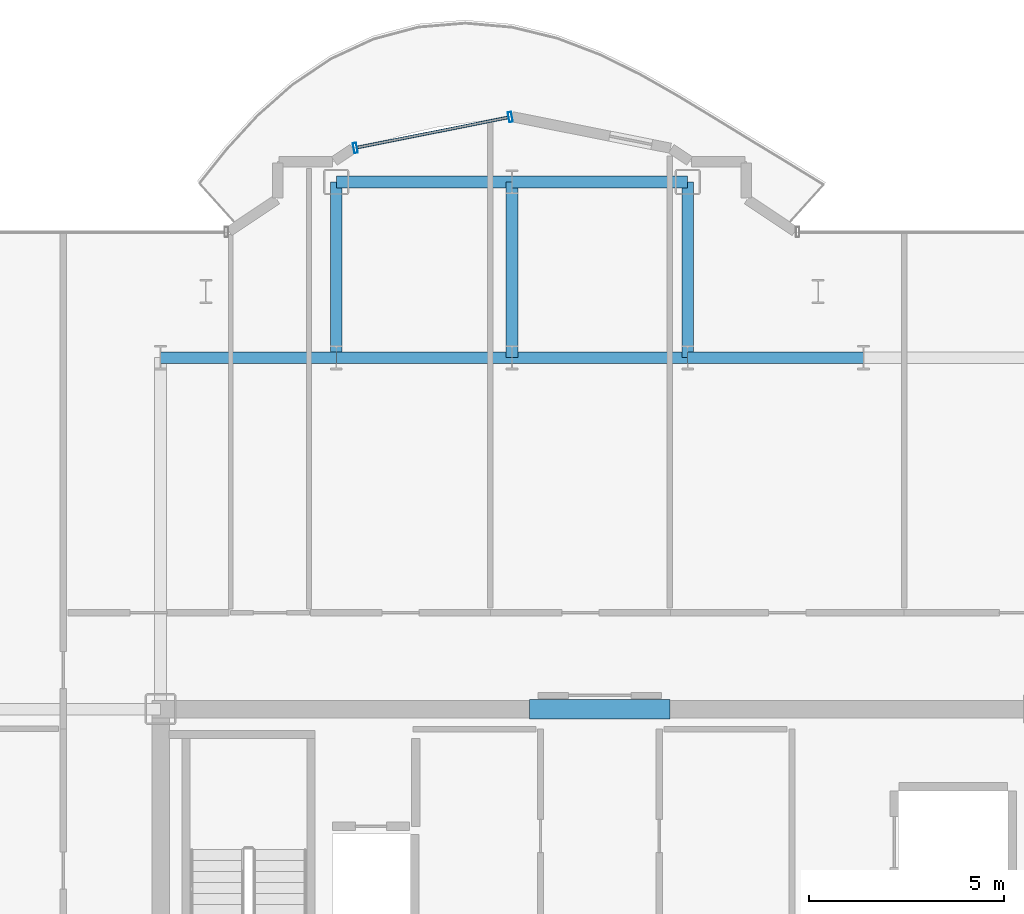
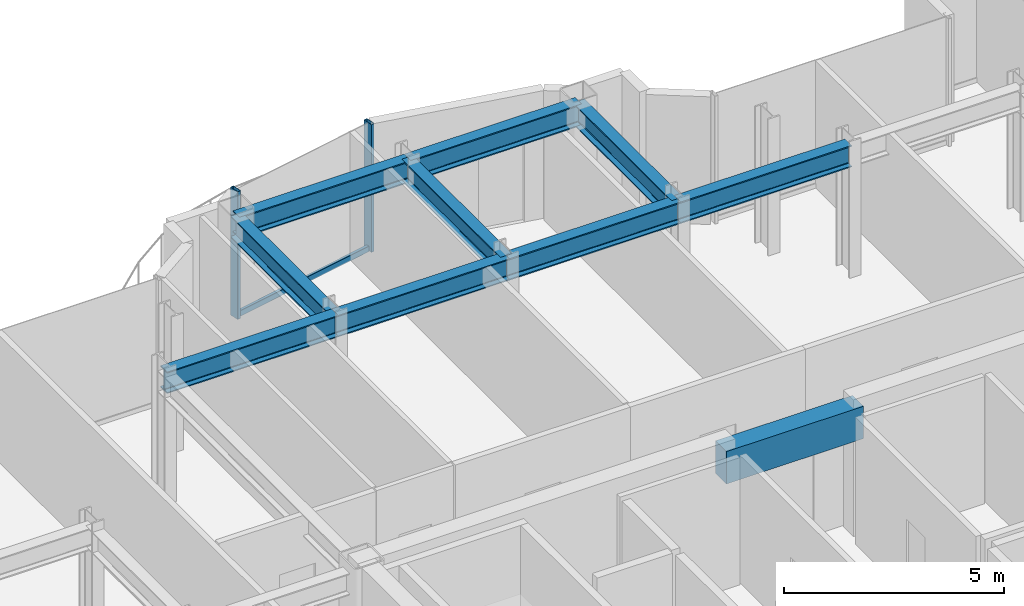
# One storey, part 8 of 16: 10 beams, 3 members, 1 element without a shape of its own.
"""IFC4 building model written with IfcOpenShell, lengths in metres."""

import ifcopenshell
import ifcopenshell.guid

model = None  # the IFC model being written
_history = None  # IfcOwnerHistory: only IFC2X3 demands one
_inside = {}  # id of a spatial element -> (the spatial element, [elements in it])
_under = {}  # id of a project, library or spatial element -> (it, [spatial elements below it])
_declared = {}  # id of a project -> (the project, [libraries it declares])
_typed = {}  # id of a type object -> (the type object, [elements of that type])
_made_of = {}  # id of a material, layer set ... -> (it, [elements and type objects made of it])


def new_model(schema):
    """Start an empty IFC model of exactly this schema.

    Asked for "IFC4X3", IfcOpenShell would pick the latest addendum, in which some entities
    have other attributes; the version numbers below select the first issue.
    IFC2X3 requires an IfcOwnerHistory on every rooted entity: one is made here for all.
    """
    global model, _history
    if schema == "IFC4X3":
        model = ifcopenshell.file(schema_version=(4, 3, 0, 0))
    else:
        model = ifcopenshell.file(schema=schema)
    _inside.clear()
    _under.clear()
    _declared.clear()
    _typed.clear()
    _made_of.clear()
    _history = None
    if model.schema == "IFC2X3":
        org = make("IfcOrganization", Name="unknown")
        user = make(
            "IfcPersonAndOrganization",
            ThePerson=make("IfcPerson", FamilyName="unknown"),
            TheOrganization=org,
        )
        app = make(
            "IfcApplication",
            ApplicationDeveloper=org,
            Version="unknown",
            ApplicationFullName="unknown",
            ApplicationIdentifier="unknown",
        )
        _history = make(
            "IfcOwnerHistory",
            OwningUser=user,
            OwningApplication=app,
            ChangeAction="ADDED",
            CreationDate=0,
        )
    return model


def make(cls, **values):
    """One entity of the class cls with the attributes given. An attribute that is None is left unset."""
    return model.create_entity(
        cls, **{name: value for name, value in values.items() if value is not None}
    )


def rooted(cls, **values):
    """An entity with a GlobalId (a new one), such as an element, a storey or a relation."""
    return make(cls, GlobalId=ifcopenshell.guid.new(), OwnerHistory=_history, **values)


def si_unit(unit_type, name, prefix=None):
    """IfcSIUnit, for example si_unit("LENGTHUNIT", "METRE", prefix="MILLI")."""
    return make("IfcSIUnit", UnitType=unit_type, Prefix=prefix, Name=name)


def assignment(units):
    """IfcUnitAssignment: the units of a project."""
    return None if units is None else make("IfcUnitAssignment", Units=units)


def point(xyz):
    """IfcCartesianPoint."""
    return None if xyz is None else make("IfcCartesianPoint", Coordinates=xyz)


def direction(xyz):
    """IfcDirection."""
    return None if xyz is None else make("IfcDirection", DirectionRatios=xyz)


def frame(location, z_axis=None, x_axis=None):
    """IfcAxis2Placement3D, a coordinate frame: its origin and axes. An axis left out is left unset."""
    return make(
        "IfcAxis2Placement3D",
        Location=point(location),
        Axis=direction(z_axis),
        RefDirection=direction(x_axis),
    )


def frame_2d(location, x_axis=None):
    """IfcAxis2Placement2D, a coordinate frame in the plane: its origin and x axis."""
    return make(
        "IfcAxis2Placement2D", Location=point(location), RefDirection=direction(x_axis)
    )


def origin():
    """The frame at (0, 0, 0) with its axes left unset."""
    return frame((0.0, 0.0, 0.0))


def origin_2d():
    """The frame at (0, 0) in the plane with its x axis left unset."""
    return frame_2d((0.0, 0.0))


def place(relative_to, where):
    """IfcLocalPlacement: puts the frame where relative to a parent placement (None: the world)."""
    return make(
        "IfcLocalPlacement", PlacementRelTo=relative_to, RelativePlacement=where
    )


def context(
    kind, dimensions, precision=None, world=None, true_north=None, identifier=None
):
    """IfcGeometricRepresentationContext, for example the 3D "Model" context."""
    return make(
        "IfcGeometricRepresentationContext",
        ContextIdentifier=identifier,
        ContextType=kind,
        CoordinateSpaceDimension=dimensions,
        Precision=precision,
        WorldCoordinateSystem=world,
        TrueNorth=true_north,
    )


def subcontext(parent, identifier, kind, view, scale=None):
    """IfcGeometricRepresentationSubContext, for example "Body" below "Model"."""
    return make(
        "IfcGeometricRepresentationSubContext",
        ContextIdentifier=identifier,
        ContextType=kind,
        ParentContext=parent,
        TargetScale=scale,
        TargetView=view,
    )


def project(units=None, contexts=None):
    """IfcProject with its units and contexts."""
    return rooted(
        "IfcProject",
        Name="project",
        RepresentationContexts=contexts,
        UnitsInContext=assignment(units),
    )


def spatial(cls, under=None, at=None, **own):
    """A site, building, storey or space (cls), placed at a placement, below another one or the project."""
    s = rooted(cls, ObjectPlacement=at, **own)
    if under is not None:
        _under.setdefault(under.id(), (under, []))[1].append(s)
    return s


def profile(cls, at=None, kind="AREA", **sizes):
    """A parametric profile (cls). Its sizes go by their IFC names, for example OverallWidth=200.0."""
    return make(cls, ProfileType=kind, Position=at, **sizes)


def rectangle(**sizes):
    """IfcRectangleProfileDef."""
    return profile("IfcRectangleProfileDef", **sizes)


def hollow_rectangle(**sizes):
    """IfcRectangleHollowProfileDef."""
    return profile("IfcRectangleHollowProfileDef", **sizes)


def i_section(**sizes):
    """IfcIShapeProfileDef."""
    return profile("IfcIShapeProfileDef", **sizes)


def extrude(swept, where, along, depth):
    """IfcExtrudedAreaSolid: the profile swept, set in the frame where, extruded along a direction by depth."""
    return make(
        "IfcExtrudedAreaSolid",
        SweptArea=swept,
        Position=where,
        ExtrudedDirection=direction(along),
        Depth=depth,
    )


def shape(context_of_items, identifier, shape_type, items):
    """IfcShapeRepresentation: the items that make up one representation, for example the "Body"."""
    return make(
        "IfcShapeRepresentation",
        ContextOfItems=context_of_items,
        RepresentationIdentifier=identifier,
        RepresentationType=shape_type,
        Items=items,
    )


def source(mapping_origin, context_of_items, identifier, shape_type, items):
    """IfcRepresentationMap: a shape defined once, which mapped items show again and again."""
    return make(
        "IfcRepresentationMap",
        MappingOrigin=mapping_origin,
        MappedRepresentation=shape(context_of_items, identifier, shape_type, items),
    )


def transform(
    local_origin,
    x_axis=None,
    y_axis=None,
    z_axis=None,
    scale=None,
    scale2=None,
    scale3=None,
    uniform=True,
):
    """IfcCartesianTransformationOperator3D, or its non-uniform kind. x_axis, y_axis, z_axis: its Axis1, 2, 3."""
    if uniform:
        return make(
            "IfcCartesianTransformationOperator3D",
            Axis1=direction(x_axis),
            Axis2=direction(y_axis),
            LocalOrigin=point(local_origin),
            Scale=scale,
            Axis3=direction(z_axis),
        )
    return make(
        "IfcCartesianTransformationOperator3DnonUniform",
        Axis1=direction(x_axis),
        Axis2=direction(y_axis),
        LocalOrigin=point(local_origin),
        Scale=scale,
        Axis3=direction(z_axis),
        Scale2=scale2,
        Scale3=scale3,
    )


def mapped(mapping_source, mapping_target):
    """IfcMappedItem: shows the shape of a source again, moved by a transform."""
    return make(
        "IfcMappedItem", MappingSource=mapping_source, MappingTarget=mapping_target
    )


def material(Name=None, Category=None):
    """IfcMaterial."""
    return make("IfcMaterial", Name=Name, Category=Category)


def layer(
    of_material, thickness, ventilated=None, Name=None, Category=None, Priority=None
):
    """IfcMaterialLayer: one layer of a wall or slab, of a material (None: an air gap)."""
    return make(
        "IfcMaterialLayer",
        Material=of_material,
        LayerThickness=thickness,
        IsVentilated=ventilated,
        Name=Name,
        Category=Category,
        Priority=Priority,
    )


def layer_set(layers, Name=None):
    """IfcMaterialLayerSet."""
    return make("IfcMaterialLayerSet", MaterialLayers=layers, LayerSetName=Name)


def material_profile(
    of_material, cross_section, Name=None, Category=None, Priority=None
):
    """IfcMaterialProfile: a cross section and its material."""
    return make(
        "IfcMaterialProfile",
        Name=Name,
        Material=of_material,
        Profile=cross_section,
        Priority=Priority,
        Category=Category,
    )


def profile_set(profiles, Name=None, composite=None):
    """IfcMaterialProfileSet."""
    return make(
        "IfcMaterialProfileSet",
        Name=Name,
        MaterialProfiles=profiles,
        CompositeProfile=composite,
    )


def made_of(thing, what):
    """Note that an element or type object is made of a material, layer set ...; save() writes the relation."""
    if what is not None:
        _made_of.setdefault(what.id(), (what, []))[1].append(thing)
    return thing


def type_object(cls, material=None, **own):
    """A type object (cls), such as IfcWallType, which elements share."""
    return made_of(rooted(cls, **own), material)


def element(
    cls,
    number,
    at=None,
    inside=None,
    cuts=None,
    type_object=None,
    material=None,
    context=None,
    identifier="Body",
    shape_type=None,
    held_by="IfcProductDefinitionShape",
    body=None,
    shapes=None,
    **own,
):
    """One element of the class cls, such as IfcWall. Its Tag is "e" and its number.

    at: its placement. inside: the storey or other place that contains it. cuts: it is an
    opening in that element (IfcRelVoidsElement). A single representation is given by context,
    identifier, shape_type and body (its items); several are given by shapes. held_by: the class
    of the entity that holds the representations. save() writes the other relations.
    """
    e = rooted(cls, Tag="e%d" % number, ObjectPlacement=at, **own)
    if body is not None:
        shapes = [shape(context, identifier, shape_type, body)]
    if shapes is not None:
        e.Representation = make(held_by, Representations=shapes)
    if inside is not None:
        _inside.setdefault(inside.id(), (inside, []))[1].append(e)
    if cuts is not None:
        rooted(
            "IfcRelVoidsElement", RelatingBuildingElement=cuts, RelatedOpeningElement=e
        )
    if type_object is not None:
        _typed.setdefault(type_object.id(), (type_object, []))[1].append(e)
    return made_of(e, material)


def aggregate(whole, parts):
    """IfcRelAggregates: a whole, such as a stair, and the parts it consists of."""
    return rooted("IfcRelAggregates", RelatingObject=whole, RelatedObjects=parts)


def save(model, path):
    """Write the relations noted so far, then the file.

    IfcRelAggregates (storeys below a building ...), IfcRelContainedInSpatialStructure (elements
    in a storey), IfcRelDefinesByType, IfcRelAssociatesMaterial and IfcRelDeclares: one each for
    every whole, place, type object, material and project.
    """
    for whole, parts in _under.values():
        aggregate(whole, parts)
    for where, things in _inside.values():
        rooted(
            "IfcRelContainedInSpatialStructure",
            RelatedElements=things,
            RelatingStructure=where,
        )
    for kind, things in _typed.values():
        rooted("IfcRelDefinesByType", RelatedObjects=things, RelatingType=kind)
    for what, things in _made_of.values():
        rooted("IfcRelAssociatesMaterial", RelatedObjects=things, RelatingMaterial=what)
    for by, libraries in _declared.values():
        rooted("IfcRelDeclares", RelatingContext=by, RelatedDefinitions=libraries)
    model.write(path)


model = new_model("IFC4")

# Units and contexts
model_context = context("Model", 3, precision=1e-05, world=origin(), true_north=direction((0.0, 1.0)))
body_context = subcontext(model_context, "Body", "Model", "MODEL_VIEW")
ifc_project = project(units=[si_unit("LENGTHUNIT", "METRE"), si_unit("AREAUNIT", "SQUARE_METRE"), si_unit("VOLUMEUNIT", "CUBIC_METRE"), si_unit("PLANEANGLEUNIT", "RADIAN"), si_unit("MASSUNIT", "GRAM", prefix="KILO")], contexts=[model_context])

# Site, building, storey
site_placement = place(None, origin())
site = spatial("IfcSite", under=ifc_project, at=site_placement, CompositionType="ELEMENT")
building_placement = place(site_placement, origin())
building = spatial("IfcBuilding", under=site, at=building_placement, Name="Nefas-Gora Pilgrimage Tower", CompositionType="ELEMENT")
storey_placement = place(building_placement, frame((0.0, 0.0, 287.39990234375)))
storey = spatial("IfcBuildingStorey", under=building, at=storey_placement, Name="L72", CompositionType="ELEMENT", Elevation=287.39990234375)

# Beams
ifc_material_1 = material(Name="Concrete C50/60", Category="concrete")
ifc_material_profile_1 = material_profile(ifc_material_1, rectangle(XDim=0.5, YDim=0.89990234375, at=origin_2d()), Name="RC 500x900")
ifc_profile_set_1 = profile_set([ifc_material_profile_1], Name="Concrete C50/60")
beam_type_1 = type_object("IfcBeamType", Name="BM-LIN-RC900", PredefinedType="LINTEL", material=ifc_profile_set_1)
shared_shape_1 = source(origin(), body_context, "Body", "SweptSolid", [
    extrude(rectangle(XDim=0.5, YDim=0.89990234375, at=origin_2d()), origin(), (0.0, 0.0, 1.0), 3.60009765625),
])
beam_placement = place(storey_placement, frame((-1.800048828125, 9.0, 3.10009765625), z_axis=(1.0, 0.0, 0.0), x_axis=(0.0, 1.0, 0.0)))
element("IfcBeam", 1, at=beam_placement, inside=storey, type_object=beam_type_1, Name="L72 Core Coupling Lintel Beam N", PredefinedType="LINTEL", context=body_context, shape_type="MappedRepresentation", body=[
    mapped(shared_shape_1, transform((0.0, 0.0, 0.0), x_axis=(1.0, 0.0, 0.0), y_axis=(0.0, 1.0, 0.0), z_axis=(0.0, 0.0, 1.0), scale=1.0)),
])
ifc_material_2 = material(Name="Steel S355", Category="steel")
ifc_material_profile_2 = material_profile(ifc_material_2, i_section(OverallWidth=0.300048828125, OverallDepth=0.60009765625, WebThickness=0.015380859375, FlangeThickness=0.030029296875, FilletRadius=0.027099609375, at=origin_2d()), Name="HEB 600")
ifc_profile_set_2 = profile_set([ifc_material_profile_2], Name="Steel S355")
beam_type_2 = type_object("IfcBeamType", Name="BM-GIR-HEB600", PredefinedType="BEAM", material=ifc_profile_set_2)
shared_shape_2 = source(origin(), body_context, "Body", "SweptSolid", [
    extrude(i_section(OverallWidth=0.300048828125, OverallDepth=0.60009765625, WebThickness=0.015380859375, FlangeThickness=0.030029296875, FilletRadius=0.027099609375, at=origin_2d()), origin(), (0.0, 0.0, 1.0), 4.5),
])
for number, where, z_axis, x_axis, name in (
    (2, (-11.25, 18.0, 3.25), (1.0, 0.0, 0.0), (0.0, 1.0, 0.0), "L72 G-04 beam"),
    (3, (-6.75, 18.0, 3.25), (0.0, 1.0, 0.0), (-1.0, 0.0, 0.0), "L72 G-04 beam"),
    (4, (-6.75, 18.0, 3.25), (1.0, 0.0, 0.0), (0.0, 1.0, 0.0), "L72 G-04 beam"),
    (5, (-6.75, 22.5, 3.25), (1.0, 0.0, 0.0), (0.0, 1.0, 0.0), "L72 G-04 beam"),
    (6, (-2.25, 18.0, 3.25), (0.0, 1.0, 0.0), (-1.0, 0.0, 0.0), "L72 G-04 beam"),
    (7, (-2.25, 18.0, 3.25), (1.0, 0.0, 0.0), (0.0, 1.0, 0.0), "L72 G-04 beam"),
    (8, (-2.25, 22.5, 3.25), (1.0, 0.0, 0.0), (0.0, 1.0, 0.0), "L72 G-04 beam"),
    (9, (2.25, 18.0, 3.25), (0.0, 1.0, 0.0), (-1.0, 0.0, 0.0), "L72 G-04 beam"),
    (10, (2.25, 18.0, 3.25), (1.0, 0.0, 0.0), (0.0, 1.0, 0.0), "L72 G-04 beam"),
):
    element("IfcBeam", number, at=place(storey_placement, frame(where, z_axis=z_axis, x_axis=x_axis)), inside=storey, type_object=beam_type_2, Name=name, PredefinedType="BEAM", context=body_context, shape_type="MappedRepresentation", body=[
        mapped(shared_shape_2, transform((0.0, 0.0, 0.0), x_axis=(1.0, 0.0, 0.0), y_axis=(0.0, 1.0, 0.0), z_axis=(0.0, 0.0, 1.0), scale=1.0)),
    ])

# Curtain wall, members
ifc_material_3 = material(Name="Dark ceramic-fritted solar-control aluminium-glass curtain wall", Category="aluminium")
ifc_layer = layer(ifc_material_3, 0.219970703125)
ifc_layer_set = layer_set([ifc_layer], Name="Dark ceramic-fritted solar-control aluminium-glass curtain wall")
curtain_wall_type = type_object("IfcCurtainWallType", Name="CW-SYS-5", PredefinedType="NOTDEFINED", material=ifc_layer_set)
curtain_wall_placement = place(storey_placement, origin())
curtain_wall = element("IfcCurtainWall", 11, at=curtain_wall_placement, inside=storey, type_object=curtain_wall_type, Name="L72 Unitised Curtain Wall CW5", PredefinedType="NOTDEFINED")
ifc_material_4 = material(Name="Anodised architectural aluminium", Category="aluminium")
ifc_material_profile_3 = material_profile(ifc_material_4, hollow_rectangle(XDim=0.090087890625, YDim=0.260009765625, WallThickness=0.006103515625, InnerFilletRadius=0.006103515625, OuterFilletRadius=0.011962890625, at=origin_2d()), Name="ALU MULLION 90x260")
ifc_profile_set_3 = profile_set([ifc_material_profile_3], Name="Anodised architectural aluminium")
member_type_1 = type_object("IfcMemberType", Name="CWM-MUL-5", PredefinedType="MULLION", material=ifc_profile_set_3)
shared_shape_3 = source(origin(), body_context, "Body", "SweptSolid", [
    extrude(hollow_rectangle(XDim=0.090087890625, YDim=0.260009765625, WallThickness=0.006103515625, InnerFilletRadius=0.006103515625, OuterFilletRadius=0.011962890625, at=origin_2d()), origin(), (0.0, 0.0, 1.0), 3.550048828125),
])
member_1_placement = place(storey_placement, frame((-2.294189453125, 24.16357421875, 0.0), z_axis=(0.0, 0.0, 1.0), x_axis=(-0.980782896852, -0.195102304554, 0.0)))
member_1 = element("IfcMember", 12, at=member_1_placement, type_object=member_type_1, Name="CW5 Mullion 1", PredefinedType="MULLION", context=body_context, shape_type="MappedRepresentation", body=[
    mapped(shared_shape_3, transform((0.0, 0.0, 0.0), x_axis=(1.0, 0.0, 0.0), y_axis=(0.0, 1.0, 0.0), z_axis=(0.0, 0.0, 1.0), scale=1.0)),
])
member_2_placement = place(storey_placement, frame((-6.26318359375, 23.3740234375, 0.0), z_axis=(0.0, 0.0, 1.0), x_axis=(-0.980782896852, -0.195102304554, 0.0)))
member_2 = element("IfcMember", 13, at=member_2_placement, type_object=member_type_1, Name="CW5 Mullion 2", PredefinedType="MULLION", context=body_context, shape_type="MappedRepresentation", body=[
    mapped(shared_shape_3, transform((0.0, 0.0, 0.0), x_axis=(1.0, 0.0, 0.0), y_axis=(0.0, 1.0, 0.0), z_axis=(0.0, 0.0, 1.0), scale=1.0)),
])
ifc_material_profile_4 = material_profile(ifc_material_4, hollow_rectangle(XDim=0.080078125, YDim=0.159912109375, WallThickness=0.00439453125, InnerFilletRadius=0.00439453125, OuterFilletRadius=0.009033203125, at=origin_2d()), Name="ALU TRANSOM 80x160")
ifc_profile_set_4 = profile_set([ifc_material_profile_4], Name="Anodised architectural aluminium")
member_type_2 = type_object("IfcMemberType", Name="CWM-TRN-5", PredefinedType="USERDEFINED", material=ifc_profile_set_4)
shared_shape_4 = source(origin(), body_context, "Body", "SweptSolid", [
    extrude(hollow_rectangle(XDim=0.080078125, YDim=0.159912109375, WallThickness=0.00439453125, InnerFilletRadius=0.00439453125, OuterFilletRadius=0.009033203125, at=origin_2d()), origin(), (0.0, 0.0, 1.0), 3.95654296875),
])
member_3_placement = place(storey_placement, frame((-2.33837890625, 24.15478515625, 0.050048828125), z_axis=(-0.980781880918, -0.195107411605, 0.0), x_axis=(0.195107411605, -0.980781880918, 0.0)))
member_3 = element("IfcMember", 14, at=member_3_placement, type_object=member_type_2, Name="CW5 Spandrel Transom", ObjectType="TRANSOM", PredefinedType="USERDEFINED", context=body_context, shape_type="MappedRepresentation", body=[
    mapped(shared_shape_4, transform((0.0, 0.0, 0.0), x_axis=(1.0, 0.0, 0.0), y_axis=(0.0, 1.0, 0.0), z_axis=(0.0, 0.0, 1.0), scale=1.0)),
])
aggregate(curtain_wall, [member_1, member_2, member_3])

save(model, "model.ifc")
